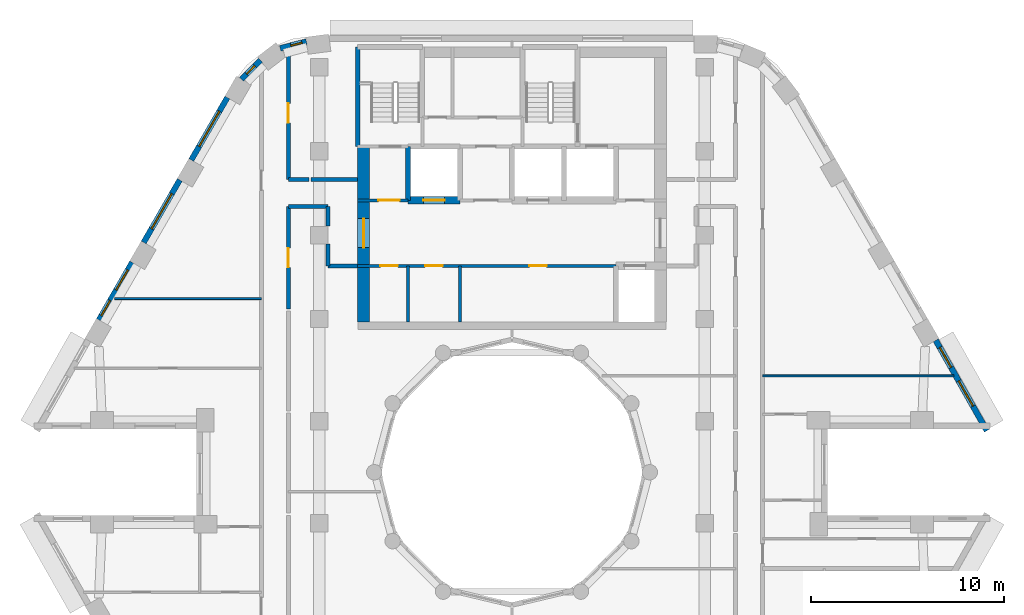
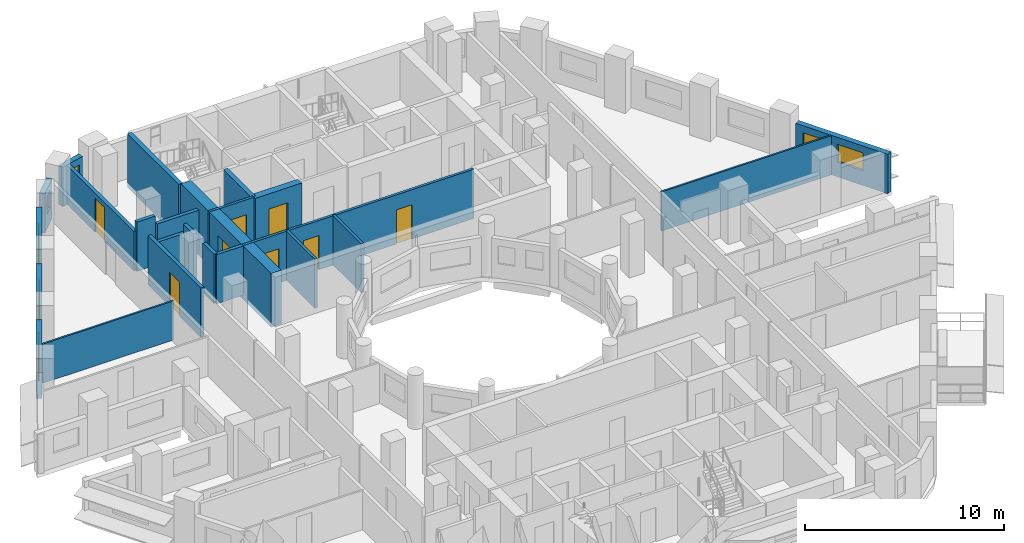
# One storey, part 7 of 15: 24 walls, 8 doors, 8 windows, 16 openings.
"""IFC4 building model written with IfcOpenShell, lengths in metres."""

from ifc_helpers import new_model, si_unit, direction, frame, frame_2d, origin, place, context, subcontext, project, spatial, rectangle, extrude, material, layer, layer_set, type_object, element, fill, save


model = new_model("IFC4")

# Units and contexts
model_context = context("Model", 3, precision=1e-05, world=origin(), true_north=direction((0.0, 1.0)))
body_context = subcontext(model_context, "Body", "Model", "MODEL_VIEW")
ifc_project = project(units=[si_unit("LENGTHUNIT", "METRE"), si_unit("AREAUNIT", "SQUARE_METRE"), si_unit("VOLUMEUNIT", "CUBIC_METRE"), si_unit("PLANEANGLEUNIT", "RADIAN"), si_unit("MASSUNIT", "GRAM", prefix="KILO")], contexts=[model_context])

# Site, building, storey
site_placement = place(None, origin())
site = spatial("IfcSite", under=ifc_project, at=site_placement, CompositionType="ELEMENT")
building_placement = place(site_placement, origin())
building = spatial("IfcBuilding", under=site, at=building_placement, Name="Nakaniwa Court", CompositionType="ELEMENT")
storey_placement = place(building_placement, frame((0.0, 0.0, 183.300048828125)))
storey = spatial("IfcBuildingStorey", under=building, at=storey_placement, Name="L47", CompositionType="ELEMENT", Elevation=183.300048828125)

# Walls
ifc_material_1 = material(Name="Acoustic double stud partition")
ifc_layer_1 = layer(ifc_material_1, 0.199951171875)
ifc_layer_set_1 = layer_set([ifc_layer_1], Name="Acoustic double stud partition")
wall_type_1 = type_object("IfcWallType", Name="Acoustic double stud partition 200", PredefinedType="PARTITIONING", material=ifc_layer_set_1)
wall_1_placement = place(storey_placement, frame((68.39990234375, 93.77490234375, 0.0), z_axis=(0.0, 0.0, 1.0), x_axis=(1.0, 0.0, 0.0)))
element("IfcWall", 1, at=wall_1_placement, inside=storey, type_object=wall_type_1, Name="Partition PW-087", PredefinedType="PARTITIONING", context=body_context, shape_type="SweptSolid", body=[
    extrude(rectangle(XDim=2.050048828125, YDim=0.199951171875, at=frame_2d((1.02490234375, 0.0))), origin(), (0.0, 0.0, 1.0), 2.5048828125),
])
wall_2_placement = place(storey_placement, frame((70.449951171875, 90.699951171875, 0.0), z_axis=(0.0, 0.0, 1.0), x_axis=(1.0, 0.0, 0.0)))
element("IfcWall", 2, at=wall_2_placement, inside=storey, type_object=wall_type_1, Name="Partition PW-089", PredefinedType="PARTITIONING", context=body_context, shape_type="SweptSolid", body=[
    extrude(rectangle(XDim=1.550048828125, YDim=0.199951171875, at=frame_2d((0.77490234375, 0.0))), origin(), (0.0, 0.0, 1.0), 3.02490234375),
])
wall_3_placement = place(storey_placement, frame((68.39990234375, 95.175048828125, 0.0), z_axis=(0.0, 0.0, 1.0), x_axis=(1.0, 0.0, 0.0)))
element("IfcWall", 3, at=wall_3_placement, inside=storey, type_object=wall_type_1, Name="Partition PW-091", PredefinedType="PARTITIONING", context=body_context, shape_type="SweptSolid", body=[
    extrude(rectangle(XDim=1.072998046875, YDim=0.199951171875, at=frame_2d((0.53662109375, 0.0))), origin(), (0.0, 0.0, 1.0), 3.02490234375),
])
wall_4_placement = place(storey_placement, frame((69.587158203125, 95.175048828125, 0.0), z_axis=(0.0, 0.0, 1.0), x_axis=(1.0, 0.0, 0.0)))
element("IfcWall", 4, at=wall_4_placement, inside=storey, type_object=wall_type_1, Name="Partition PW-092", PredefinedType="PARTITIONING", context=body_context, shape_type="SweptSolid", body=[
    extrude(rectangle(XDim=2.412841796875, YDim=0.199951171875, at=frame_2d((1.20654296875, 0.0))), origin(), (0.0, 0.0, 1.0), 2.5048828125),
])

# Wall, opening, door
wall_5_placement = place(storey_placement, frame((68.39990234375, 93.77490234375, 0.0), z_axis=(0.0, 0.0, 1.0), x_axis=(0.0, -1.0, 0.0)))
wall_5 = element("IfcWall", 5, at=wall_5_placement, inside=storey, type_object=wall_type_1, Name="Partition PW-100", PredefinedType="PARTITIONING", context=body_context, shape_type="SweptSolid", body=[
    extrude(rectangle(XDim=5.297607421875, YDim=0.199951171875, at=frame_2d((2.64892578125, 0.0))), origin(), (0.0, 0.0, 1.0), 3.02490234375),
])
opening_1_placement = place(wall_5_placement, frame((2.14794921875, 0.0, 0.0)))
opening_1 = element("IfcOpeningElement", 6, at=opening_1_placement, cuts=wall_5, Name="Opening D-02-07", PredefinedType="OPENING", context=body_context, shape_type="SweptSolid", body=[
    extrude(rectangle(XDim=1.0, YDim=2.10009765625, at=frame_2d((0.5, 1.050048828125))), frame((0.0, 0.10986328125, 0.0), z_axis=(0.0, -1.0, 0.0), x_axis=(1.0, 0.0, 0.0)), (0.0, 0.0, 1.0), 0.219970703125),
])
ifc_material_2 = material(Name="Solid core timber door set, black veneer", Category="wood")
door_type_1 = type_object("IfcDoorType", Name="Internal door 1000", OperationType="NOTDEFINED", PredefinedType="DOOR", material=ifc_material_2)
door_1_placement = place(opening_1_placement, origin())
door_1 = element("IfcDoor", 7, at=door_1_placement, inside=storey, type_object=door_type_1, Name="Door D-02-07 L47-047", OperationType="SINGLE_SWING_RIGHT", OverallHeight=2.10009765625, OverallWidth=1.0, PredefinedType="DOOR", context=body_context, shape_type="SweptSolid", body=[
    extrude(rectangle(XDim=1.0, YDim=2.10009765625, at=frame_2d((0.5, 1.050048828125))), frame((0.0, 0.02490234375, 0.0), z_axis=(0.0, -1.0, 0.0), x_axis=(1.0, 0.0, 0.0)), (0.0, 0.0, 1.0), 0.050048828125),
])
fill(opening_1, door_1)

wall_6_placement = place(storey_placement, frame((68.39990234375, 102.07373046875, 0.0), z_axis=(0.0, 0.0, 1.0), x_axis=(0.0, -1.0, 0.0)))
wall_6 = element("IfcWall", 8, at=wall_6_placement, inside=storey, type_object=wall_type_1, Name="Partition PW-101", PredefinedType="PARTITIONING", context=body_context, shape_type="SweptSolid", body=[
    extrude(rectangle(XDim=6.898681640625, YDim=0.199951171875, at=frame_2d((3.44921875, 0.0))), origin(), (0.0, 0.0, 1.0), 2.405029296875),
])
opening_2_placement = place(wall_6_placement, frame((2.948974609375, 0.0, 0.0)))
opening_2 = element("IfcOpeningElement", 9, at=opening_2_placement, cuts=wall_6, Name="Opening D-02-11", PredefinedType="OPENING", context=body_context, shape_type="SweptSolid", body=[
    extrude(rectangle(XDim=1.0, YDim=2.10009765625, at=frame_2d((0.5, 1.050048828125))), frame((0.0, 0.10986328125, 0.0), z_axis=(0.0, -1.0, 0.0), x_axis=(1.0, 0.0, 0.0)), (0.0, 0.0, 1.0), 0.219970703125),
])
door_2_placement = place(opening_2_placement, origin())
door_2 = element("IfcDoor", 10, at=door_2_placement, inside=storey, type_object=door_type_1, Name="Door D-02-11 L47-051", OperationType="SINGLE_SWING_RIGHT", OverallHeight=2.10009765625, OverallWidth=1.0, PredefinedType="DOOR", context=body_context, shape_type="SweptSolid", body=[
    extrude(rectangle(XDim=1.0, YDim=2.10009765625, at=frame_2d((0.5, 1.050048828125))), frame((0.0, 0.02490234375, 0.0), z_axis=(0.0, -1.0, 0.0), x_axis=(1.0, 0.0, 0.0)), (0.0, 0.0, 1.0), 0.050048828125),
])
fill(opening_2, door_2)

# Walls
wall_7_placement = place(storey_placement, frame((70.449951171875, 90.699951171875, 0.0), z_axis=(0.0, 0.0, 1.0), x_axis=(0.0, 1.0, 0.0)))
element("IfcWall", 11, at=wall_7_placement, inside=storey, type_object=wall_type_1, Name="Partition PW-105", PredefinedType="PARTITIONING", context=body_context, shape_type="SweptSolid", body=[
    extrude(rectangle(XDim=1.1328125, YDim=0.199951171875, at=frame_2d((0.56640625, 0.0))), origin(), (0.0, 0.0, 1.0), 3.02490234375),
])
wall_8_placement = place(storey_placement, frame((70.449951171875, 92.76708984375, 0.0), z_axis=(0.0, 0.0, 1.0), x_axis=(0.0, 1.0, 0.0)))
element("IfcWall", 12, at=wall_8_placement, inside=storey, type_object=wall_type_1, Name="Partition PW-106", PredefinedType="PARTITIONING", context=body_context, shape_type="SweptSolid", body=[
    extrude(rectangle(XDim=1.0078125, YDim=0.199951171875, at=frame_2d((0.50390625, 0.0))), origin(), (0.0, 0.0, 1.0), 3.02490234375),
])

# Wall, openings, windows
ifc_material_3 = material(Name="Charcoal ceramic cladding")
ifc_layer_2 = layer(ifc_material_3, 0.02, Name="Ceramic cladding")
ifc_material_4 = material(Name="Ventilated air cavity")
ifc_layer_3 = layer(ifc_material_4, 0.04, ventilated=True, Name="Ventilated cavity")
ifc_material_5 = material(Name="Mineral wool insulation")
ifc_layer_4 = layer(ifc_material_5, 0.1, Name="Insulation")
ifc_material_6 = material(Name="Cement bonded sheathing board")
ifc_layer_5 = layer(ifc_material_6, 0.012, Name="Sheathing")
ifc_material_7 = material(Name="Cold-formed galvanised stud frame with mineral wool infill")
ifc_layer_6 = layer(ifc_material_7, 0.1, Name="Stud frame")
ifc_material_8 = material(Name="Fire-rated gypsum plasterboard lining")
ifc_layer_7 = layer(ifc_material_8, 0.028, Name="Lining")
ifc_layer_set_2 = layer_set([ifc_layer_2, ifc_layer_3, ifc_layer_4, ifc_layer_5, ifc_layer_6, ifc_layer_7], Name="Charcoal ceramic faced external wall system")
wall_type_2 = type_object("IfcWallType", Name="Black ceramic faced external wall 300", PredefinedType="SOLIDWALL", material=ifc_layer_set_2)
wall_9_placement = place(storey_placement, frame((104.627197265625, 82.153564453125, 0.0), z_axis=(0.0, 0.0, 1.0), x_axis=(-0.492033360928, 0.870576344575, 0.0)))
wall_9 = element("IfcWall", 13, at=wall_9_placement, inside=storey, type_object=wall_type_2, Name="L47 external wall 02", PredefinedType="SOLIDWALL", context=body_context, shape_type="SweptSolid", body=[
    extrude(rectangle(XDim=5.38671875, YDim=0.300048828125, at=frame_2d((2.693359375, 0.0))), origin(), (0.0, 0.0, 1.0), 2.425048828125),
])
opening_3_placement = place(wall_9_placement, frame((1.46630859375, 0.0, 0.89990234375)))
opening_3 = element("IfcOpeningElement", 14, at=opening_3_placement, cuts=wall_9, Name="Opening W5.01", PredefinedType="OPENING", context=body_context, shape_type="SweptSolid", body=[
    extrude(rectangle(XDim=1.5, YDim=1.10009765625, at=frame_2d((0.75, 0.550048828125))), frame((0.0, 0.159912109375, 0.0), z_axis=(0.0, -1.0, 0.0), x_axis=(1.0, 0.0, 0.0)), (0.0, 0.0, 1.0), 0.320068359375),
])
opening_4_placement = place(wall_9_placement, frame((3.763427734375, 0.0, 0.89990234375)))
opening_4 = element("IfcOpeningElement", 15, at=opening_4_placement, cuts=wall_9, Name="Opening W6.02", PredefinedType="OPENING", context=body_context, shape_type="SweptSolid", body=[
    extrude(rectangle(XDim=1.199951171875, YDim=1.10009765625, at=frame_2d((0.60009765625, 0.550048828125))), frame((0.0, 0.159912109375, 0.0), z_axis=(0.0, -1.0, 0.0), x_axis=(1.0, 0.0, 0.0)), (0.0, 0.0, 1.0), 0.320068359375),
])
ifc_material_9 = material(Name="Black anodised aluminium frame with dark low-E laminated double glazing", Category="aluminium")
window_type_1 = type_object("IfcWindowType", Name="Dark glass window 1200x1100 sill 900", PartitioningType="SINGLE_PANEL", PredefinedType="WINDOW", material=ifc_material_9)
window_1_placement = place(opening_4_placement, origin())
window_1 = element("IfcWindow", 16, at=window_1_placement, inside=storey, type_object=window_type_1, Name="L47 habitable room window 02-1", OverallHeight=1.10009765625, OverallWidth=1.199951171875, PartitioningType="SINGLE_PANEL", PredefinedType="WINDOW", context=body_context, shape_type="SweptSolid", body=[
    extrude(rectangle(XDim=1.199951171875, YDim=1.10009765625, at=frame_2d((0.60009765625, 0.550048828125))), frame((0.0, 0.030029296875, 0.0), z_axis=(0.0, -1.0, 0.0), x_axis=(1.0, 0.0, 0.0)), (0.0, 0.0, 1.0), 0.06005859375),
])
fill(opening_4, window_1)
window_type_2 = type_object("IfcWindowType", Name="Dark glass window 1500x1100 sill 900", PartitioningType="SINGLE_PANEL", PredefinedType="WINDOW", material=ifc_material_9)
window_2_placement = place(opening_3_placement, origin())
window_2 = element("IfcWindow", 17, at=window_2_placement, inside=storey, type_object=window_type_2, Name="L47 habitable room window 02-0", OverallHeight=1.10009765625, OverallWidth=1.5, PartitioningType="SINGLE_PANEL", PredefinedType="WINDOW", context=body_context, shape_type="SweptSolid", body=[
    extrude(rectangle(XDim=1.5, YDim=1.10009765625, at=frame_2d((0.75, 0.550048828125))), frame((0.0, 0.030029296875, 0.0), z_axis=(0.0, -1.0, 0.0), x_axis=(1.0, 0.0, 0.0)), (0.0, 0.0, 1.0), 0.06005859375),
])
fill(opening_3, window_2)

# Wall, opening, window
wall_10_placement = place(storey_placement, frame((69.3359375, 102.333251953125, 0.0), z_axis=(0.0, 0.0, 1.0), x_axis=(-0.969037396898, -0.246914000036, 0.0)))
wall_10 = element("IfcWall", 18, at=wall_10_placement, inside=storey, type_object=wall_type_2, Name="L47 external wall 09", PredefinedType="SOLIDWALL", context=body_context, shape_type="SweptSolid", body=[
    extrude(rectangle(XDim=1.403076171875, YDim=0.300048828125, at=frame_2d((0.70166015625, 0.0))), origin(), (0.0, 0.0, 1.0), 2.425048828125),
])
opening_5_placement = place(wall_10_placement, frame((0.22900390625, 0.0, 0.89990234375)))
opening_5 = element("IfcOpeningElement", 19, at=opening_5_placement, cuts=wall_10, Name="Opening W8.10", PredefinedType="OPENING", context=body_context, shape_type="SweptSolid", body=[
    extrude(rectangle(XDim=0.60009765625, YDim=1.10009765625, at=frame_2d((0.300048828125, 0.550048828125))), frame((0.0, 0.159912109375, 0.0), z_axis=(0.0, -1.0, 0.0), x_axis=(1.0, 0.0, 0.0)), (0.0, 0.0, 1.0), 0.320068359375),
])
window_type_3 = type_object("IfcWindowType", Name="Dark glass window 600x1100 sill 900", PartitioningType="SINGLE_PANEL", PredefinedType="WINDOW", material=ifc_material_9)
window_3_placement = place(opening_5_placement, origin())
window_3 = element("IfcWindow", 20, at=window_3_placement, inside=storey, type_object=window_type_3, Name="L47 habitable room window 09-0", OverallHeight=1.10009765625, OverallWidth=0.60009765625, PartitioningType="SINGLE_PANEL", PredefinedType="WINDOW", context=body_context, shape_type="SweptSolid", body=[
    extrude(rectangle(XDim=0.60009765625, YDim=1.10009765625, at=frame_2d((0.300048828125, 0.550048828125))), frame((0.0, 0.030029296875, 0.0), z_axis=(0.0, -1.0, 0.0), x_axis=(1.0, 0.0, 0.0)), (0.0, 0.0, 1.0), 0.06005859375),
])
fill(opening_5, window_3)

wall_11_placement = place(storey_placement, frame((66.951904296875, 101.36328125, 0.0), z_axis=(0.0, 0.0, 1.0), x_axis=(-0.70869320446, -0.705516790695, 0.0)))
wall_11 = element("IfcWall", 21, at=wall_11_placement, inside=storey, type_object=wall_type_2, Name="L47 external wall 10", PredefinedType="SOLIDWALL", context=body_context, shape_type="SweptSolid", body=[
    extrude(rectangle(XDim=1.383544921875, YDim=0.300048828125, at=frame_2d((0.69189453125, 0.0))), origin(), (0.0, 0.0, 1.0), 2.425048828125),
])
opening_6_placement = place(wall_11_placement, frame((0.407958984375, 0.0, 0.89990234375)))
opening_6 = element("IfcOpeningElement", 22, at=opening_6_placement, cuts=wall_11, Name="Opening W8.11", PredefinedType="OPENING", context=body_context, shape_type="SweptSolid", body=[
    extrude(rectangle(XDim=0.60009765625, YDim=1.10009765625, at=frame_2d((0.300048828125, 0.550048828125))), frame((0.0, 0.159912109375, 0.0), z_axis=(0.0, -1.0, 0.0), x_axis=(1.0, 0.0, 0.0)), (0.0, 0.0, 1.0), 0.320068359375),
])
window_4_placement = place(opening_6_placement, origin())
window_4 = element("IfcWindow", 23, at=window_4_placement, inside=storey, type_object=window_type_3, Name="L47 habitable room window 10-1", OverallHeight=1.10009765625, OverallWidth=0.60009765625, PartitioningType="SINGLE_PANEL", PredefinedType="WINDOW", context=body_context, shape_type="SweptSolid", body=[
    extrude(rectangle(XDim=0.60009765625, YDim=1.10009765625, at=frame_2d((0.300048828125, 0.550048828125))), frame((0.0, 0.030029296875, 0.0), z_axis=(0.0, -1.0, 0.0), x_axis=(1.0, 0.0, 0.0)), (0.0, 0.0, 1.0), 0.06005859375),
])
fill(opening_6, window_4)

wall_12_placement = place(storey_placement, frame((65.239013671875, 99.433349609375, 0.0), z_axis=(0.0, 0.0, 1.0), x_axis=(-0.499982088007, -0.866035745032, 0.0)))
wall_12 = element("IfcWall", 24, at=wall_12_placement, inside=storey, type_object=wall_type_2, Name="L47 external wall 11", PredefinedType="SOLIDWALL", context=body_context, shape_type="SweptSolid", body=[
    extrude(rectangle(XDim=3.744384765625, YDim=0.300048828125, at=frame_2d((1.8720703125, 0.0))), origin(), (0.0, 0.0, 1.0), 2.425048828125),
])
opening_7_placement = place(wall_12_placement, frame((0.822021484375, 0.0, 0.89990234375)))
opening_7 = element("IfcOpeningElement", 25, at=opening_7_placement, cuts=wall_12, Name="Opening W7.12", PredefinedType="OPENING", context=body_context, shape_type="SweptSolid", body=[
    extrude(rectangle(XDim=2.10009765625, YDim=1.10009765625, at=frame_2d((1.050048828125, 0.550048828125))), frame((0.0, 0.159912109375, 0.0), z_axis=(0.0, -1.0, 0.0), x_axis=(1.0, 0.0, 0.0)), (0.0, 0.0, 1.0), 0.320068359375),
])
window_type_4 = type_object("IfcWindowType", Name="Dark glass window 2100x1100 sill 900", PartitioningType="SINGLE_PANEL", PredefinedType="WINDOW", material=ifc_material_9)
window_5_placement = place(opening_7_placement, origin())
window_5 = element("IfcWindow", 26, at=window_5_placement, inside=storey, type_object=window_type_4, Name="L47 habitable room window 11-0", OverallHeight=1.10009765625, OverallWidth=2.10009765625, PartitioningType="SINGLE_PANEL", PredefinedType="WINDOW", context=body_context, shape_type="SweptSolid", body=[
    extrude(rectangle(XDim=2.10009765625, YDim=1.10009765625, at=frame_2d((1.050048828125, 0.550048828125))), frame((0.0, 0.030029296875, 0.0), z_axis=(0.0, -1.0, 0.0), x_axis=(1.0, 0.0, 0.0)), (0.0, 0.0, 1.0), 0.06005859375),
])
fill(opening_7, window_5)

wall_13_placement = place(storey_placement, frame((62.77099609375, 95.158447265625, 0.0), z_axis=(0.0, 0.0, 1.0), x_axis=(-0.500059225181, -0.86599120741, 0.0)))
wall_13 = element("IfcWall", 27, at=wall_13_placement, inside=storey, type_object=wall_type_2, Name="L47 external wall 12", PredefinedType="SOLIDWALL", context=body_context, shape_type="SweptSolid", body=[
    extrude(rectangle(XDim=3.744140625, YDim=0.300048828125, at=frame_2d((1.8720703125, 0.0))), origin(), (0.0, 0.0, 1.0), 2.425048828125),
])
opening_8_placement = place(wall_13_placement, frame((0.822021484375, 0.0, 0.89990234375)))
opening_8 = element("IfcOpeningElement", 28, at=opening_8_placement, cuts=wall_13, Name="Opening W7.13", PredefinedType="OPENING", context=body_context, shape_type="SweptSolid", body=[
    extrude(rectangle(XDim=2.10009765625, YDim=1.10009765625, at=frame_2d((1.050048828125, 0.550048828125))), frame((0.0, 0.159912109375, 0.0), z_axis=(0.0, -1.0, 0.0), x_axis=(1.0, 0.0, 0.0)), (0.0, 0.0, 1.0), 0.320068359375),
])
window_6_placement = place(opening_8_placement, origin())
window_6 = element("IfcWindow", 29, at=window_6_placement, inside=storey, type_object=window_type_4, Name="L47 habitable room window 12-0", OverallHeight=1.10009765625, OverallWidth=2.10009765625, PartitioningType="SINGLE_PANEL", PredefinedType="WINDOW", context=body_context, shape_type="SweptSolid", body=[
    extrude(rectangle(XDim=2.10009765625, YDim=1.10009765625, at=frame_2d((1.050048828125, 0.550048828125))), frame((0.0, 0.030029296875, 0.0), z_axis=(0.0, -1.0, 0.0), x_axis=(1.0, 0.0, 0.0)), (0.0, 0.0, 1.0), 0.06005859375),
])
fill(opening_8, window_6)

# Wall, openings, windows
wall_14_placement = place(storey_placement, frame((60.302734375, 90.883544921875, 0.0), z_axis=(0.0, 0.0, 1.0), x_axis=(-0.499955427682, -0.866051136095, 0.0)))
wall_14 = element("IfcWall", 30, at=wall_14_placement, inside=storey, type_object=wall_type_2, Name="L47 external wall 13", PredefinedType="SOLIDWALL", context=body_context, shape_type="SweptSolid", body=[
    extrude(rectangle(XDim=3.447021484375, YDim=0.300048828125, at=frame_2d((1.7236328125, 0.0))), origin(), (0.0, 0.0, 1.0), 2.425048828125),
])
opening_9_placement = place(wall_14_placement, frame((0.450439453125, 0.0, 0.89990234375)))
opening_9 = element("IfcOpeningElement", 31, at=opening_9_placement, cuts=wall_14, Name="Opening W6.14", PredefinedType="OPENING", context=body_context, shape_type="SweptSolid", body=[
    extrude(rectangle(XDim=1.199951171875, YDim=1.10009765625, at=frame_2d((0.60009765625, 0.550048828125))), frame((0.0, 0.159912109375, 0.0), z_axis=(0.0, -1.0, 0.0), x_axis=(1.0, 0.0, 0.0)), (0.0, 0.0, 1.0), 0.320068359375),
])
opening_10_placement = place(wall_14_placement, frame((2.286865234375, 0.0, 0.89990234375)))
opening_10 = element("IfcOpeningElement", 32, at=opening_10_placement, cuts=wall_14, Name="Opening W9.15", PredefinedType="OPENING", context=body_context, shape_type="SweptSolid", body=[
    extrude(rectangle(XDim=0.89990234375, YDim=1.10009765625, at=frame_2d((0.449951171875, 0.550048828125))), frame((0.0, 0.159912109375, 0.0), z_axis=(0.0, -1.0, 0.0), x_axis=(1.0, 0.0, 0.0)), (0.0, 0.0, 1.0), 0.320068359375),
])
window_7_placement = place(opening_9_placement, origin())
window_7 = element("IfcWindow", 33, at=window_7_placement, inside=storey, type_object=window_type_1, Name="L47 habitable room window 13-0", OverallHeight=1.10009765625, OverallWidth=1.199951171875, PartitioningType="SINGLE_PANEL", PredefinedType="WINDOW", context=body_context, shape_type="SweptSolid", body=[
    extrude(rectangle(XDim=1.199951171875, YDim=1.10009765625, at=frame_2d((0.60009765625, 0.550048828125))), frame((0.0, 0.030029296875, 0.0), z_axis=(0.0, -1.0, 0.0), x_axis=(1.0, 0.0, 0.0)), (0.0, 0.0, 1.0), 0.06005859375),
])
fill(opening_9, window_7)
window_type_5 = type_object("IfcWindowType", Name="Dark glass window 900x1100 sill 900", PartitioningType="SINGLE_PANEL", PredefinedType="WINDOW", material=ifc_material_9)
window_8_placement = place(opening_10_placement, origin())
window_8 = element("IfcWindow", 34, at=window_8_placement, inside=storey, type_object=window_type_5, Name="L47 habitable room window 13-1", OverallHeight=1.10009765625, OverallWidth=0.89990234375, PartitioningType="SINGLE_PANEL", PredefinedType="WINDOW", context=body_context, shape_type="SweptSolid", body=[
    extrude(rectangle(XDim=0.89990234375, YDim=1.10009765625, at=frame_2d((0.449951171875, 0.550048828125))), frame((0.0, 0.030029296875, 0.0), z_axis=(0.0, -1.0, 0.0), x_axis=(1.0, 0.0, 0.0)), (0.0, 0.0, 1.0), 0.06005859375),
])
fill(opening_10, window_8)

# Wall
ifc_material_10 = material(Name="Blockwork partition", Category="masonry")
ifc_layer_8 = layer(ifc_material_10, 0.14990234375)
ifc_layer_set_3 = layer_set([ifc_layer_8], Name="Blockwork partition")
wall_type_3 = type_object("IfcWallType", Name="Blockwork partition 150", PredefinedType="PARTITIONING", material=ifc_layer_set_3)
wall_15_placement = place(storey_placement, frame((74.60009765625, 87.800048828125, 0.0), z_axis=(0.0, 0.0, 1.0), x_axis=(0.0, 1.0, 0.0)))
element("IfcWall", 35, at=wall_15_placement, inside=storey, type_object=wall_type_3, Name="Partition PW-001", PredefinedType="PARTITIONING", context=body_context, shape_type="SweptSolid", body=[
    extrude(rectangle(XDim=2.89990234375, YDim=0.14990234375, at=frame_2d((1.449951171875, 0.0))), origin(), (0.0, 0.0, 1.0), 3.02490234375),
])

# Wall, openings, doors
wall_16_placement = place(storey_placement, frame((85.39990234375, 90.699951171875, 0.0), z_axis=(0.0, 0.0, 1.0), x_axis=(-1.0, 0.0, 0.0)))
wall_16 = element("IfcWall", 36, at=wall_16_placement, inside=storey, type_object=wall_type_3, Name="Partition PW-002", PredefinedType="PARTITIONING", context=body_context, shape_type="SweptSolid", body=[
    extrude(rectangle(XDim=13.39990234375, YDim=0.14990234375, at=frame_2d((6.699951171875, 0.0))), origin(), (0.0, 0.0, 1.0), 3.02490234375),
])
opening_11_placement = place(wall_16_placement, frame((11.324951171875, 0.0, 0.0)))
opening_11 = element("IfcOpeningElement", 37, at=opening_11_placement, cuts=wall_16, Name="Opening D-05-01", PredefinedType="OPENING", context=body_context, shape_type="SweptSolid", body=[
    extrude(rectangle(XDim=0.89990234375, YDim=2.10009765625, at=frame_2d((0.449951171875, 1.050048828125))), frame((0.0, 0.0849609375, 0.0), z_axis=(0.0, -1.0, 0.0), x_axis=(1.0, 0.0, 0.0)), (0.0, 0.0, 1.0), 0.169921875),
])
opening_12_placement = place(wall_16_placement, frame((9.0, 0.0, 0.0)))
opening_12 = element("IfcOpeningElement", 38, at=opening_12_placement, cuts=wall_16, Name="Opening D-05-02", PredefinedType="OPENING", context=body_context, shape_type="SweptSolid", body=[
    extrude(rectangle(XDim=0.89990234375, YDim=2.10009765625, at=frame_2d((0.449951171875, 1.050048828125))), frame((0.0, 0.0849609375, 0.0), z_axis=(0.0, -1.0, 0.0), x_axis=(1.0, 0.0, 0.0)), (0.0, 0.0, 1.0), 0.169921875),
])
opening_13_placement = place(wall_16_placement, frame((3.60009765625, 0.0, 0.0)))
opening_13 = element("IfcOpeningElement", 39, at=opening_13_placement, cuts=wall_16, Name="Opening D-05-03", PredefinedType="OPENING", context=body_context, shape_type="SweptSolid", body=[
    extrude(rectangle(XDim=0.89990234375, YDim=2.10009765625, at=frame_2d((0.449951171875, 1.050048828125))), frame((0.0, 0.0849609375, 0.0), z_axis=(0.0, -1.0, 0.0), x_axis=(1.0, 0.0, 0.0)), (0.0, 0.0, 1.0), 0.169921875),
])
ifc_material_11 = material(Name="Fire rated steel door set", Category="steel")
door_type_2 = type_object("IfcDoorType", Name="Service room door 900", OperationType="NOTDEFINED", PredefinedType="DOOR", material=ifc_material_11)
door_3_placement = place(opening_11_placement, origin())
door_3 = element("IfcDoor", 40, at=door_3_placement, inside=storey, type_object=door_type_2, Name="Door D-05-01 L47-001", OperationType="SINGLE_SWING_RIGHT", OverallHeight=2.10009765625, OverallWidth=0.89990234375, PredefinedType="DOOR", context=body_context, shape_type="SweptSolid", body=[
    extrude(rectangle(XDim=0.89990234375, YDim=2.10009765625, at=frame_2d((0.449951171875, 1.050048828125))), frame((0.0, 0.02490234375, 0.0), z_axis=(0.0, -1.0, 0.0), x_axis=(1.0, 0.0, 0.0)), (0.0, 0.0, 1.0), 0.050048828125),
])
fill(opening_11, door_3)
door_4_placement = place(opening_12_placement, origin())
door_4 = element("IfcDoor", 41, at=door_4_placement, inside=storey, type_object=door_type_2, Name="Door D-05-02 L47-002", OperationType="SINGLE_SWING_LEFT", OverallHeight=2.10009765625, OverallWidth=0.89990234375, PredefinedType="DOOR", context=body_context, shape_type="SweptSolid", body=[
    extrude(rectangle(XDim=0.89990234375, YDim=2.10009765625, at=frame_2d((0.449951171875, 1.050048828125))), frame((0.0, 0.02490234375, 0.0), z_axis=(0.0, -1.0, 0.0), x_axis=(1.0, 0.0, 0.0)), (0.0, 0.0, 1.0), 0.050048828125),
])
fill(opening_12, door_4)
door_5_placement = place(opening_13_placement, origin())
door_5 = element("IfcDoor", 42, at=door_5_placement, inside=storey, type_object=door_type_2, Name="Door D-05-03 L47-003", OperationType="SINGLE_SWING_RIGHT", OverallHeight=2.10009765625, OverallWidth=0.89990234375, PredefinedType="DOOR", context=body_context, shape_type="SweptSolid", body=[
    extrude(rectangle(XDim=0.89990234375, YDim=2.10009765625, at=frame_2d((0.449951171875, 1.050048828125))), frame((0.0, 0.02490234375, 0.0), z_axis=(0.0, -1.0, 0.0), x_axis=(1.0, 0.0, 0.0)), (0.0, 0.0, 1.0), 0.050048828125),
])
fill(opening_13, door_5)

# Wall
wall_17_placement = place(storey_placement, frame((77.300048828125, 87.800048828125, 0.0), z_axis=(0.0, 0.0, 1.0), x_axis=(0.0, 1.0, 0.0)))
element("IfcWall", 43, at=wall_17_placement, inside=storey, type_object=wall_type_3, Name="Partition PW-008", PredefinedType="PARTITIONING", context=body_context, shape_type="SweptSolid", body=[
    extrude(rectangle(XDim=2.89990234375, YDim=0.14990234375, at=frame_2d((1.449951171875, 0.0))), origin(), (0.0, 0.0, 1.0), 3.02490234375),
])

# Wall, opening, door
wall_18_placement = place(storey_placement, frame((72.0, 94.10009765625, 0.0), z_axis=(0.0, 0.0, 1.0), x_axis=(1.0, 0.0, 0.0)))
wall_18 = element("IfcWall", 44, at=wall_18_placement, inside=storey, type_object=wall_type_3, Name="Partition PW-009", PredefinedType="PARTITIONING", context=body_context, shape_type="SweptSolid", body=[
    extrude(rectangle(XDim=2.60302734375, YDim=0.14990234375, at=frame_2d((1.301513671875, 0.0))), origin(), (0.0, 0.0, 1.0), 3.02490234375),
])
opening_14_placement = place(wall_18_placement, frame((1.074951171875, 0.0, 0.0)))
opening_14 = element("IfcOpeningElement", 45, at=opening_14_placement, cuts=wall_18, Name="Opening D-08-01", PredefinedType="OPENING", context=body_context, shape_type="SweptSolid", body=[
    extrude(rectangle(XDim=1.10009765625, YDim=2.10009765625, at=frame_2d((0.550048828125, 1.050048828125))), frame((0.0, 0.0849609375, 0.0), z_axis=(0.0, -1.0, 0.0), x_axis=(1.0, 0.0, 0.0)), (0.0, 0.0, 1.0), 0.169921875),
])
door_type_3 = type_object("IfcDoorType", Name="Stair lobby door 1100", OperationType="NOTDEFINED", PredefinedType="DOOR", material=ifc_material_11)
door_6_placement = place(opening_14_placement, origin())
door_6 = element("IfcDoor", 46, at=door_6_placement, inside=storey, type_object=door_type_3, Name="Door D-08-01 L47-004", OperationType="SINGLE_SWING_LEFT", OverallHeight=2.10009765625, OverallWidth=1.10009765625, PredefinedType="DOOR", context=body_context, shape_type="SweptSolid", body=[
    extrude(rectangle(XDim=1.10009765625, YDim=2.10009765625, at=frame_2d((0.550048828125, 1.050048828125))), frame((0.0, 0.02490234375, 0.0), z_axis=(0.0, -1.0, 0.0), x_axis=(1.0, 0.0, 0.0)), (0.0, 0.0, 1.0), 0.050048828125),
])
fill(opening_14, door_6)

ifc_material_12 = material(Name="Concrete C80/100", Category="concrete")
ifc_layer_9 = layer(ifc_material_12, 0.60009765625)
ifc_layer_set_4 = layer_set([ifc_layer_9], Name="Concrete C80/100")
wall_type_4 = type_object("IfcWallType", Name="Concrete core side wall 600 C80", PredefinedType="SHEAR", material=ifc_layer_set_4)
wall_19_placement = place(storey_placement, frame((72.300048828125, 87.800048828125, -0.275146484375), z_axis=(0.0, 0.0, 1.0), x_axis=(0.0, 1.0, 0.0)))
wall_19 = element("IfcWall", 47, at=wall_19_placement, inside=storey, type_object=wall_type_4, Name="Core wall SW-03", PredefinedType="SHEAR", context=body_context, shape_type="SweptSolid", body=[
    extrude(rectangle(XDim=9.099853515625, YDim=0.60009765625, at=frame_2d((4.5498046875, 0.0))), origin(), (0.0, 0.0, 1.0), 3.300048828125),
])
opening_15_placement = place(wall_19_placement, frame((3.85205078125, 0.0, 0.27490234375)))
opening_15 = element("IfcOpeningElement", 48, at=opening_15_placement, cuts=wall_19, Name="Opening D-07-02", PredefinedType="OPENING", context=body_context, shape_type="SweptSolid", body=[
    extrude(rectangle(XDim=1.5, YDim=2.10009765625, at=frame_2d((0.75, 1.050048828125))), frame((0.0, 0.31005859375, 0.0), z_axis=(0.0, -1.0, 0.0), x_axis=(1.0, 0.0, 0.0)), (0.0, 0.0, 1.0), 0.6201171875),
])
ifc_material_13 = material(Name="Glazed fire rated steel double door set", Category="steel")
door_type_4 = type_object("IfcDoorType", Name="Lobby double door 1500", OperationType="NOTDEFINED", PredefinedType="DOOR", material=ifc_material_13)
door_7_placement = place(opening_15_placement, origin())
door_7 = element("IfcDoor", 49, at=door_7_placement, inside=storey, type_object=door_type_4, Name="Door D-07-02 L47-053", OperationType="DOUBLE_DOOR_SINGLE_SWING", OverallHeight=2.10009765625, OverallWidth=1.5, PredefinedType="DOOR", context=body_context, shape_type="SweptSolid", body=[
    extrude(rectangle(XDim=1.5, YDim=2.10009765625, at=frame_2d((0.75, 1.050048828125))), frame((0.0, 0.02490234375, 0.0), z_axis=(0.0, -1.0, 0.0), x_axis=(1.0, 0.0, 0.0)), (0.0, 0.0, 1.0), 0.050048828125),
])
fill(opening_15, door_7)

ifc_layer_10 = layer(ifc_material_12, 0.39990234375)
ifc_layer_set_5 = layer_set([ifc_layer_10], Name="Concrete C80/100")
wall_type_5 = type_object("IfcWallType", Name="Concrete core spine wall 400 C80", PredefinedType="SHEAR", material=ifc_layer_set_5)
wall_20_placement = place(storey_placement, frame((74.596923828125, 94.10009765625, -0.275146484375), z_axis=(0.0, 0.0, 1.0), x_axis=(1.0, 0.0, 0.0)))
wall_20 = element("IfcWall", 50, at=wall_20_placement, inside=storey, type_object=wall_type_5, Name="Core wall SW-12", PredefinedType="SHEAR", context=body_context, shape_type="SweptSolid", body=[
    extrude(rectangle(XDim=2.7060546875, YDim=0.39990234375, at=frame_2d((1.35302734375, 0.0))), origin(), (0.0, 0.0, 1.0), 3.300048828125),
])
opening_16_placement = place(wall_20_placement, frame((0.802978515625, 0.0, 0.27490234375)))
opening_16 = element("IfcOpeningElement", 51, at=opening_16_placement, cuts=wall_20, Name="Opening LD02", PredefinedType="OPENING", context=body_context, shape_type="SweptSolid", body=[
    extrude(rectangle(XDim=1.10009765625, YDim=2.10009765625, at=frame_2d((0.550048828125, 1.050048828125))), frame((0.0, 0.2099609375, 0.0), z_axis=(0.0, -1.0, 0.0), x_axis=(1.0, 0.0, 0.0)), (0.0, 0.0, 1.0), 0.419921875),
])
ifc_material_14 = material(Name="Stainless steel sliding lift landing door", Category="steel")
door_type_5 = type_object("IfcDoorType", Name="Lift landing door 1100", OperationType="NOTDEFINED", PredefinedType="DOOR", material=ifc_material_14)
door_8_placement = place(opening_16_placement, origin())
door_8 = element("IfcDoor", 52, at=door_8_placement, inside=storey, type_object=door_type_5, Name="Lift landing door LD02 L47-002", OperationType="SLIDING_TO_LEFT", OverallHeight=2.10009765625, OverallWidth=1.10009765625, PredefinedType="DOOR", context=body_context, shape_type="SweptSolid", body=[
    extrude(rectangle(XDim=1.10009765625, YDim=2.10009765625, at=frame_2d((0.550048828125, 1.050048828125))), frame((0.0, 0.02490234375, 0.0), z_axis=(0.0, -1.0, 0.0), x_axis=(1.0, 0.0, 0.0)), (0.0, 0.0, 1.0), 0.050048828125),
])
fill(opening_16, door_8)

# Walls
ifc_layer_11 = layer(ifc_material_12, 0.25)
ifc_layer_set_6 = layer_set([ifc_layer_11], Name="Concrete C80/100")
wall_type_6 = type_object("IfcWallType", Name="Concrete core wall 250 C80", PredefinedType="SHEAR", material=ifc_layer_set_6)
wall_21_placement = place(storey_placement, frame((72.0, 96.89990234375, -0.275146484375), z_axis=(0.0, 0.0, 1.0), x_axis=(0.0, 1.0, 0.0)))
element("IfcWall", 53, at=wall_21_placement, inside=storey, type_object=wall_type_6, Name="Core wall SW-26", PredefinedType="SHEAR", context=body_context, shape_type="SweptSolid", body=[
    extrude(rectangle(XDim=5.150146484375, YDim=0.25, at=frame_2d((2.5751953125, 0.0))), origin(), (0.0, 0.0, 1.0), 3.300048828125),
])
ifc_layer_12 = layer(ifc_material_12, 0.25)
ifc_layer_set_7 = layer_set([ifc_layer_12], Name="Concrete C80/100")
wall_type_7 = type_object("IfcWallType", Name="Concrete shaft wall 250 C80", PredefinedType="SHEAR", material=ifc_layer_set_7)
wall_22_placement = place(storey_placement, frame((74.60009765625, 94.10009765625, -0.275146484375), z_axis=(0.0, 0.0, 1.0), x_axis=(0.0, 1.0, 0.0)))
element("IfcWall", 54, at=wall_22_placement, inside=storey, type_object=wall_type_7, Name="Core wall SW-14", PredefinedType="SHEAR", context=body_context, shape_type="SweptSolid", body=[
    extrude(rectangle(XDim=2.7998046875, YDim=0.25, at=frame_2d((1.39990234375, 0.0))), origin(), (0.0, 0.0, 1.0), 3.300048828125),
])
ifc_material_15 = material(Name="Single stud plasterboard partition")
ifc_layer_13 = layer(ifc_material_15, 0.10009765625)
ifc_layer_set_8 = layer_set([ifc_layer_13], Name="Single stud plasterboard partition")
wall_type_8 = type_object("IfcWallType", Name="Single stud plasterboard partition 100", PredefinedType="PARTITIONING", material=ifc_layer_set_8)
wall_23_placement = place(storey_placement, frame((93.0009765625, 85.0, 0.0), z_axis=(0.0, 0.0, 1.0), x_axis=(1.0, 0.0, 0.0)))
element("IfcWall", 55, at=wall_23_placement, inside=storey, type_object=wall_type_8, Name="Partition PW-119", PredefinedType="PARTITIONING", context=body_context, shape_type="SweptSolid", body=[
    extrude(rectangle(XDim=9.919921875, YDim=0.10009765625, at=frame_2d((4.9599609375, 0.0))), origin(), (0.0, 0.0, 1.0), 2.405029296875),
])
wall_24_placement = place(storey_placement, frame((59.388671875, 89.0, 0.0), z_axis=(0.0, 0.0, 1.0), x_axis=(1.0, 0.0, 0.0)))
element("IfcWall", 56, at=wall_24_placement, inside=storey, type_object=wall_type_8, Name="Partition PW-131", PredefinedType="PARTITIONING", context=body_context, shape_type="SweptSolid", body=[
    extrude(rectangle(XDim=7.6103515625, YDim=0.10009765625, at=frame_2d((3.80517578125, 0.0))), origin(), (0.0, 0.0, 1.0), 2.405029296875),
])

save(model, "model.ifc")
